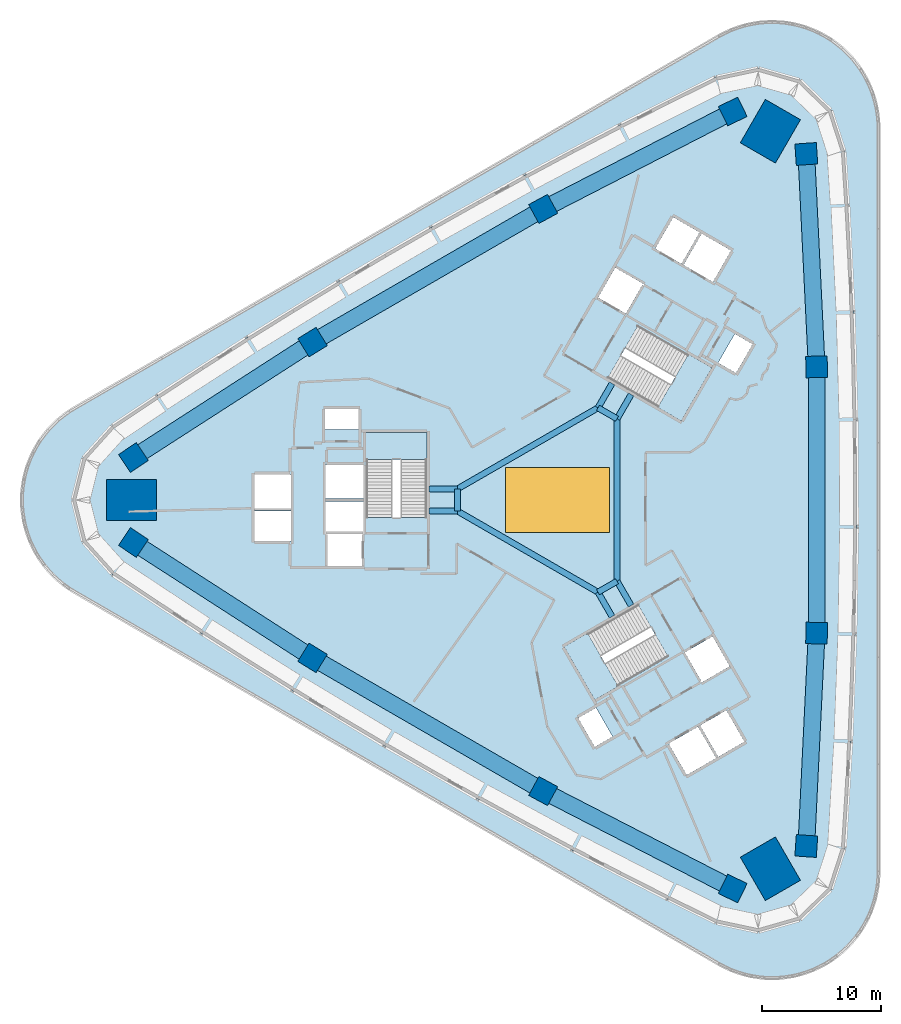
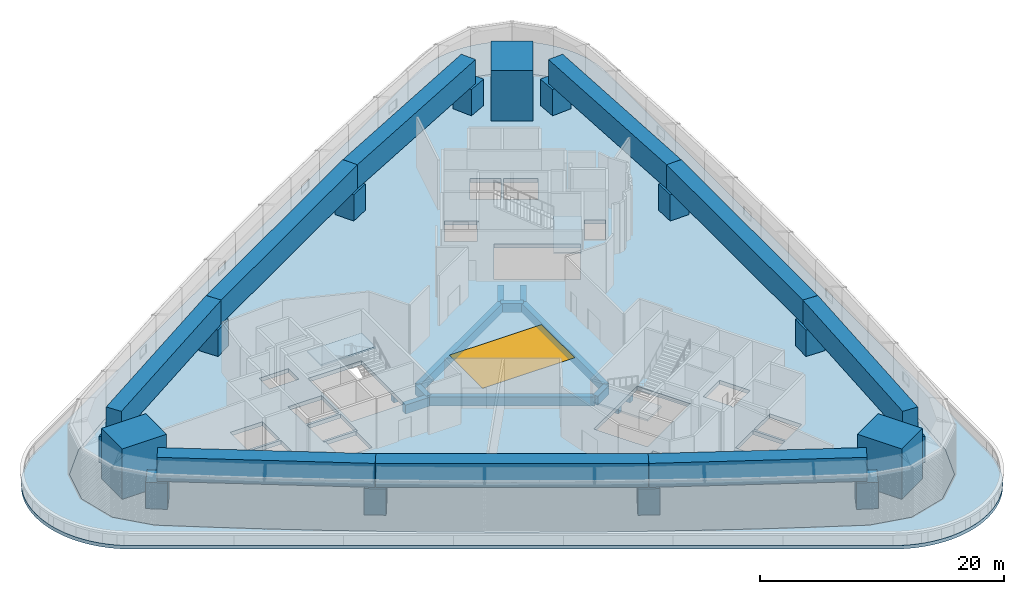
# One storey, part 1 of 11: 21 beams, 15 columns, 5 slabs, 1 window, 1 opening, 3 elements without a shape of their own.
"""IFC4 building model written with IfcOpenShell, lengths in metres."""

from ifc_helpers import new_model, si_unit, direction, frame, origin, origin_2d, place, context, subcontext, project, spatial, polyline, rectangle, outline, extrude, material, layer, layer_set, material_profile, profile_set, type_object, element, fill, aggregate, save


model = new_model("IFC4")

# Units and contexts
model_context = context("Model", 3, precision=1e-05, world=origin(), true_north=direction((0.0, 1.0)))
body_context = subcontext(model_context, "Body", "Model", "MODEL_VIEW")
ifc_project = project(units=[si_unit("LENGTHUNIT", "METRE"), si_unit("AREAUNIT", "SQUARE_METRE"), si_unit("VOLUMEUNIT", "CUBIC_METRE"), si_unit("PLANEANGLEUNIT", "RADIAN"), si_unit("MASSUNIT", "GRAM", prefix="KILO")], contexts=[model_context])

# Site, building, storey
site_placement = place(None, origin())
site = spatial("IfcSite", under=ifc_project, at=site_placement, CompositionType="ELEMENT")
building_placement = place(site_placement, origin())
building = spatial("IfcBuilding", under=site, at=building_placement, Name="Tamra Quay Hotel Tower", CompositionType="ELEMENT")
storey_placement = place(building_placement, frame((0.0, 0.0, 29.5)))
storey = spatial("IfcBuildingStorey", under=building, at=storey_placement, Name="L05", CompositionType="ELEMENT", Elevation=29.5)

# Columns
ifc_material_1 = material(Name="Concrete M70", Category="concrete")
ifc_material_profile_1 = material_profile(ifc_material_1, rectangle(XDim=4.199951171875, YDim=3.39990234375, at=origin_2d()), Name="MEGA COLUMN RC 3400x4200 Z1")
ifc_profile_set_1 = profile_set([ifc_material_profile_1], Name="Concrete M70")
column_type_1 = type_object("IfcColumnType", Name="MEGA COLUMN RC 3400x4200 Z1", PredefinedType="COLUMN", material=ifc_profile_set_1)
for number, where, z_axis, x_axis, name in (
    (1, (17.864501953125, 30.942138671875, -0.39990234375), (0.0, 0.0, 1.0), (0.5, 0.866025403784, 0.0), "COL-M0NE-L05"),
    (2, (-35.72900390625, 0.0, -0.39990234375), (0.0, 0.0, 1.0), (1.0, 0.0, 0.0), "COL-M0W-L05"),
    (3, (17.864501953125, -30.942138671875, -0.39990234375), (0.0, 0.0, 1.0), (-0.5, 0.866025403784, 0.0), "COL-M0SE-L05"),
):
    element("IfcColumn", number, at=place(storey_placement, frame(where, z_axis=z_axis, x_axis=x_axis)), inside=storey, type_object=column_type_1, Name=name, PredefinedType="COLUMN", context=body_context, shape_type="SweptSolid", body=[
        extrude(rectangle(XDim=4.199951171875, YDim=3.39990234375, at=origin_2d()), origin(), (0.0, 0.0, 1.0), 5.4248046875),
    ])
ifc_material_profile_2 = material_profile(ifc_material_1, rectangle(XDim=1.800048828125, YDim=1.800048828125, at=origin_2d()), Name="MIDFACE COLUMN RC 1800x1800")
ifc_profile_set_2 = profile_set([ifc_material_profile_2], Name="Concrete M70")
column_type_2 = type_object("IfcColumnType", Name="MIDFACE COLUMN RC 1800x1800", PredefinedType="COLUMN", material=ifc_profile_set_2)
for number, where, z_axis, x_axis, name in (
    (4, (20.87890625, -29.033935546875, -0.39990234375), (0.0, 0.0, 1.0), (-0.997561736499, 0.069789554182, 0.0), "COL-PRE1-L05"),
    (5, (21.7490234375, -11.17431640625, -0.39990234375), (0.0, 0.0, 1.0), (-0.999628128016, 0.02726913418, 0.0), "COL-PRE2-L05"),
    (6, (21.7490234375, 11.17431640625, -0.39990234375), (0.0, 0.0, 1.0), (0.999628128016, 0.02726913418, 0.0), "COL-PRE3-L05"),
    (7, (20.87890625, 29.033935546875, -0.39990234375), (0.0, 0.0, 1.0), (0.997561736499, 0.069789554182, 0.0), "COL-PRE4-L05"),
    (8, (14.70458984375, 32.5986328125, -0.39990234375), (0.0, 0.0, 1.0), (-0.438341341409, 0.898808582743, 0.0), "COL-PRNW1-L05"),
    (9, (-1.197265625, 24.422607421875, -0.39990234375), (0.0, 0.0, 1.0), (-0.476198301069, 0.879337920289, 0.0), "COL-PRNW2-L05"),
    (10, (-20.552001953125, 13.248046875, -0.39990234375), (0.0, 0.0, 1.0), (-0.523429826947, 0.85206878611, 0.0), "COL-PRNW3-L05"),
    (11, (-35.58349609375, 3.564697265625, -0.39990234375), (0.0, 0.0, 1.0), (-0.55922039509, 0.82901902856, 0.0), "COL-PRNW4-L05"),
    (12, (-35.58349609375, -3.564697265625, -0.39990234375), (0.0, 0.0, 1.0), (0.55922039509, 0.82901902856, 0.0), "COL-PRSW1-L05"),
    (13, (-20.552001953125, -13.248046875, -0.39990234375), (0.0, 0.0, 1.0), (0.523429826947, 0.85206878611, 0.0), "COL-PRSW2-L05"),
    (14, (-1.197265625, -24.422607421875, -0.39990234375), (0.0, 0.0, 1.0), (0.476198301069, 0.879337920289, 0.0), "COL-PRSW3-L05"),
    (15, (14.70458984375, -32.5986328125, -0.39990234375), (0.0, 0.0, 1.0), (0.438341341409, 0.898808582743, 0.0), "COL-PRSW4-L05"),
):
    element("IfcColumn", number, at=place(storey_placement, frame(where, z_axis=z_axis, x_axis=x_axis)), inside=storey, type_object=column_type_2, Name=name, PredefinedType="COLUMN", context=body_context, shape_type="SweptSolid", body=[
        extrude(rectangle(XDim=1.800048828125, YDim=1.800048828125, at=origin_2d()), origin(), (0.0, 0.0, 1.0), 3.02490234375),
    ])

# Beams
ifc_material_2 = material(Name="Concrete M60", Category="concrete")
ifc_material_profile_3 = material_profile(ifc_material_2, rectangle(XDim=0.5, YDim=0.89990234375, at=origin_2d()), Name="ATRIUM EDGE BEAM RC 500x900")
ifc_profile_set_3 = profile_set([ifc_material_profile_3], Name="Concrete M60")
beam_type_1 = type_object("IfcBeamType", Name="ATRIUM EDGE BEAM RC 500x900", PredefinedType="BEAM", material=ifc_profile_set_3)
beam_1_placement = place(storey_placement, frame((5.0, 6.812744140625, -0.85009765625), z_axis=(0.0, -1.0, 0.0), x_axis=(1.0, 0.0, 0.0)))
element("IfcBeam", 16, at=beam_1_placement, inside=storey, type_object=beam_type_1, Name="BM-AB0-L05", PredefinedType="BEAM", context=body_context, shape_type="SweptSolid", body=[
    extrude(rectangle(XDim=0.5, YDim=0.89990234375, at=origin_2d()), origin(), (0.0, 0.0, 1.0), 13.62548828125),
])
beam_2_placement = place(storey_placement, frame((5.0, -6.812744140625, -0.85009765625), z_axis=(-0.86602275259, -0.500004591975, 0.0), x_axis=(0.500004591975, -0.86602275259, 0.0)))
element("IfcBeam", 17, at=beam_2_placement, inside=storey, type_object=beam_type_1, Name="BM-AB1-L05", PredefinedType="BEAM", context=body_context, shape_type="SweptSolid", body=[
    extrude(rectangle(XDim=0.5, YDim=0.89990234375, at=origin_2d()), origin(), (0.0, 0.0, 1.0), 1.84765625),
])
beam_3_placement = place(storey_placement, frame((3.39990234375, -7.736572265625, -0.85009765625), z_axis=(-0.866021471679, 0.500006810544, 0.0), x_axis=(-0.500006810544, -0.866021471679, 0.0)))
element("IfcBeam", 18, at=beam_3_placement, inside=storey, type_object=beam_type_1, Name="BM-AB2-L05", PredefinedType="BEAM", context=body_context, shape_type="SweptSolid", body=[
    extrude(rectangle(XDim=0.5, YDim=0.89990234375, at=origin_2d()), origin(), (0.0, 0.0, 1.0), 13.625244140625),
])
beam_4_placement = place(storey_placement, frame((-8.39990234375, -0.923828125, -0.85009765625), z_axis=(0.0, 1.0, 0.0), x_axis=(-1.0, 0.0, 0.0)))
element("IfcBeam", 19, at=beam_4_placement, inside=storey, type_object=beam_type_1, Name="BM-AB3-L05", PredefinedType="BEAM", context=body_context, shape_type="SweptSolid", body=[
    extrude(rectangle(XDim=0.5, YDim=0.89990234375, at=origin_2d()), origin(), (0.0, 0.0, 1.0), 1.84765625),
])
beam_5_placement = place(storey_placement, frame((-8.39990234375, 0.923828125, -0.85009765625), z_axis=(0.866021471679, 0.500006810544, 0.0), x_axis=(-0.500006810544, 0.866021471679, 0.0)))
element("IfcBeam", 20, at=beam_5_placement, inside=storey, type_object=beam_type_1, Name="BM-AB4-L05", PredefinedType="BEAM", context=body_context, shape_type="SweptSolid", body=[
    extrude(rectangle(XDim=0.5, YDim=0.89990234375, at=origin_2d()), origin(), (0.0, 0.0, 1.0), 13.625244140625),
])
beam_6_placement = place(storey_placement, frame((3.39990234375, 7.736572265625, -0.85009765625), z_axis=(0.86602275259, -0.500004591975, 0.0), x_axis=(0.500004591975, 0.86602275259, 0.0)))
element("IfcBeam", 21, at=beam_6_placement, inside=storey, type_object=beam_type_1, Name="BM-AB5-L05", PredefinedType="BEAM", context=body_context, shape_type="SweptSolid", body=[
    extrude(rectangle(XDim=0.5, YDim=0.89990234375, at=origin_2d()), origin(), (0.0, 0.0, 1.0), 1.84765625),
])
ifc_material_profile_4 = material_profile(ifc_material_2, rectangle(XDim=0.5, YDim=0.89990234375, at=origin_2d()), Name="ATRIUM TIE BEAM RC 500x900")
ifc_profile_set_4 = profile_set([ifc_material_profile_4], Name="Concrete M60")
beam_type_2 = type_object("IfcBeamType", Name="ATRIUM TIE BEAM RC 500x900", PredefinedType="BEAM", material=ifc_profile_set_4)
for number, where, z_axis, x_axis, name in (
    (22, (5.0, 6.812744140625, -0.85009765625), (0.500029618126, 0.866008303076, 0.0), (-0.866008303076, 0.500029618126, 0.0), "BM-TIE-0-L05"),
    (23, (5.0, -6.812744140625, -0.85009765625), (0.500029618126, -0.866008303076, 0.0), (0.866008303076, 0.500029618126, 0.0), "BM-TIE-1-L05"),
    (24, (3.39990234375, -7.736572265625, -0.85009765625), (0.500029618126, -0.866008303076, 0.0), (0.866008303076, 0.500029618126, 0.0), "BM-TIE-2-L05"),
):
    element("IfcBeam", number, at=place(storey_placement, frame(where, z_axis=z_axis, x_axis=x_axis)), inside=storey, type_object=beam_type_2, Name=name, PredefinedType="BEAM", context=body_context, shape_type="SweptSolid", body=[
        extrude(rectangle(XDim=0.5, YDim=0.89990234375, at=origin_2d()), origin(), (0.0, 0.0, 1.0), 2.362060546875),
    ])
for number, where, z_axis, x_axis, name in (
    (25, (-8.39990234375, -0.923828125, -0.85009765625), (-1.0, 0.0, 0.0), (0.0, -1.0, 0.0), "BM-TIE-3-L05"),
    (26, (-8.39990234375, 0.923828125, -0.85009765625), (-1.0, 0.0, 0.0), (0.0, -1.0, 0.0), "BM-TIE-4-L05"),
):
    element("IfcBeam", number, at=place(storey_placement, frame(where, z_axis=z_axis, x_axis=x_axis)), inside=storey, type_object=beam_type_2, Name=name, PredefinedType="BEAM", context=body_context, shape_type="SweptSolid", body=[
        extrude(rectangle(XDim=0.5, YDim=0.89990234375, at=origin_2d()), origin(), (0.0, 0.0, 1.0), 2.3623046875),
    ])
beam_7_placement = place(storey_placement, frame((3.39990234375, 7.736572265625, -0.85009765625), z_axis=(0.500029618126, 0.866008303076, 0.0), x_axis=(-0.866008303076, 0.500029618126, 0.0)))
element("IfcBeam", 27, at=beam_7_placement, inside=storey, type_object=beam_type_2, Name="BM-TIE-5-L05", PredefinedType="BEAM", context=body_context, shape_type="SweptSolid", body=[
    extrude(rectangle(XDim=0.5, YDim=0.89990234375, at=origin_2d()), origin(), (0.0, 0.0, 1.0), 2.362060546875),
])
ifc_material_profile_5 = material_profile(ifc_material_2, rectangle(XDim=1.39990234375, YDim=2.39990234375, at=origin_2d()), Name="TRANSFER GIRDER RC 1400x2400")
ifc_profile_set_5 = profile_set([ifc_material_profile_5], Name="Concrete M60")
beam_type_3 = type_object("IfcBeamType", Name="TRANSFER GIRDER RC 1400x2400", PredefinedType="USERDEFINED", material=ifc_profile_set_5)
beam_8_placement = place(storey_placement, frame((20.87890625, -29.033935546875, 3.824951171875), z_axis=(0.048662088022, 0.998815298836, 0.0), x_axis=(-0.998815298836, 0.048662088022, 0.0)))
element("IfcBeam", 28, at=beam_8_placement, inside=storey, type_object=beam_type_3, Name="BM-TG001-L05", ObjectType="TRANSFER GIRDER", PredefinedType="USERDEFINED", context=body_context, shape_type="SweptSolid", body=[
    extrude(rectangle(XDim=1.39990234375, YDim=2.39990234375, at=origin_2d()), origin(), (0.0, 0.0, 1.0), 17.880859375),
])
beam_9_placement = place(storey_placement, frame((21.7490234375, -11.17431640625, 3.824951171875), z_axis=(0.0, 1.0, 0.0), x_axis=(-1.0, 0.0, 0.0)))
element("IfcBeam", 29, at=beam_9_placement, inside=storey, type_object=beam_type_3, Name="BM-TG002-L05", ObjectType="TRANSFER GIRDER", PredefinedType="USERDEFINED", context=body_context, shape_type="SweptSolid", body=[
    extrude(rectangle(XDim=1.39990234375, YDim=2.39990234375, at=origin_2d()), origin(), (0.0, 0.0, 1.0), 22.3486328125),
])
beam_10_placement = place(storey_placement, frame((21.7490234375, 11.17431640625, 3.824951171875), z_axis=(-0.048662088022, 0.998815298836, 0.0), x_axis=(-0.998815298836, -0.048662088022, 0.0)))
element("IfcBeam", 30, at=beam_10_placement, inside=storey, type_object=beam_type_3, Name="BM-TG003-L05", ObjectType="TRANSFER GIRDER", PredefinedType="USERDEFINED", context=body_context, shape_type="SweptSolid", body=[
    extrude(rectangle(XDim=1.39990234375, YDim=2.39990234375, at=origin_2d()), origin(), (0.0, 0.0, 1.0), 17.880859375),
])
beam_11_placement = place(storey_placement, frame((14.70458984375, 32.5986328125, 3.824951171875), z_axis=(-0.889334920836, -0.457256381673, 0.0), x_axis=(0.457256381673, -0.889334920836, 0.0)))
element("IfcBeam", 31, at=beam_11_placement, inside=storey, type_object=beam_type_3, Name="BM-TG004-L05", ObjectType="TRANSFER GIRDER", PredefinedType="USERDEFINED", context=body_context, shape_type="SweptSolid", body=[
    extrude(rectangle(XDim=1.39990234375, YDim=2.39990234375, at=origin_2d()), origin(), (0.0, 0.0, 1.0), 17.880615234375),
])
beam_12_placement = place(storey_placement, frame((-1.197265625, 24.422607421875, 3.824951171875), z_axis=(-0.866023498866, -0.500003299401, 0.0), x_axis=(0.500003299401, -0.866023498866, 0.0)))
element("IfcBeam", 32, at=beam_12_placement, inside=storey, type_object=beam_type_3, Name="BM-TG005-L05", ObjectType="TRANSFER GIRDER", PredefinedType="USERDEFINED", context=body_context, shape_type="SweptSolid", body=[
    extrude(rectangle(XDim=1.39990234375, YDim=2.39990234375, at=origin_2d()), origin(), (0.0, 0.0, 1.0), 22.348876953125),
])
for number, where, z_axis, x_axis, name in (
    (33, (-20.552001953125, 13.248046875, 3.824951171875), (-0.840663037387, -0.541558544915, 0.0), (0.541558544915, -0.840663037387, 0.0), "BM-TG006-L05"),
    (34, (-35.58349609375, -3.564697265625, 3.824951171875), (0.840663037387, -0.541558544915, 0.0), (0.541558544915, 0.840663037387, 0.0), "BM-TG007-L05"),
):
    element("IfcBeam", number, at=place(storey_placement, frame(where, z_axis=z_axis, x_axis=x_axis)), inside=storey, type_object=beam_type_3, Name=name, ObjectType="TRANSFER GIRDER", PredefinedType="USERDEFINED", context=body_context, shape_type="SweptSolid", body=[
        extrude(rectangle(XDim=1.39990234375, YDim=2.39990234375, at=origin_2d()), origin(), (0.0, 0.0, 1.0), 17.880615234375),
    ])
beam_13_placement = place(storey_placement, frame((-20.552001953125, -13.248046875, 3.824951171875), z_axis=(0.866023498866, -0.500003299401, 0.0), x_axis=(0.500003299401, 0.866023498866, 0.0)))
element("IfcBeam", 35, at=beam_13_placement, inside=storey, type_object=beam_type_3, Name="BM-TG008-L05", ObjectType="TRANSFER GIRDER", PredefinedType="USERDEFINED", context=body_context, shape_type="SweptSolid", body=[
    extrude(rectangle(XDim=1.39990234375, YDim=2.39990234375, at=origin_2d()), origin(), (0.0, 0.0, 1.0), 22.348876953125),
])
beam_14_placement = place(storey_placement, frame((-1.197265625, -24.422607421875, 3.824951171875), z_axis=(0.889334920836, -0.457256381673, 0.0), x_axis=(0.457256381673, 0.889334920836, 0.0)))
element("IfcBeam", 36, at=beam_14_placement, inside=storey, type_object=beam_type_3, Name="BM-TG009-L05", ObjectType="TRANSFER GIRDER", PredefinedType="USERDEFINED", context=body_context, shape_type="SweptSolid", body=[
    extrude(rectangle(XDim=1.39990234375, YDim=2.39990234375, at=origin_2d()), origin(), (0.0, 0.0, 1.0), 17.880615234375),
])

# Stair, slab
ifc_material_3 = material(Name="Exit stair 2200 38 risers 144.7 going 272")
stair_type = type_object("IfcStairType", Name="Exit stair 2200 38 risers 144.7 going 272", PredefinedType="HALF_TURN_STAIR", material=ifc_material_3)
stair_1_placement = place(storey_placement, origin())
stair_1 = element("IfcStair", 37, at=stair_1_placement, inside=storey, type_object=stair_type, Name="L05 Exit stair ST3", PredefinedType="HALF_TURN_STAIR")
ifc_layer_1 = layer(ifc_material_1, 0.175048828125)
ifc_layer_set_1 = layer_set([ifc_layer_1], Name="Concrete M70 stair landing 180")
slab_type_1 = type_object("IfcSlabType", Name="Concrete M70 stair landing 180", PredefinedType="LANDING", material=ifc_layer_set_1)
slab_1_placement = place(storey_placement, frame((0.0, 0.0, 2.574951171875)))
slab_1 = element("IfcSlab", 38, at=slab_1_placement, type_object=slab_type_1, Name="ST3 landing 1", PredefinedType="LANDING", context=body_context, shape_type="SweptSolid", body=[
    extrude(outline(polyline([(-10.932373046875, 3.39599609375), (-10.932373046875, 5.679931640625), (-16.09130859375, 5.679931640625), (-16.09130859375, 3.39599609375), (-10.932373046875, 3.39599609375)])), origin(), (0.0, 0.0, 1.0), 0.175048828125),
])
aggregate(stair_1, [slab_1])

stair_2_placement = place(storey_placement, origin())
stair_2 = element("IfcStair", 39, at=stair_2_placement, inside=storey, type_object=stair_type, Name="L05 Exit stair ST1", PredefinedType="HALF_TURN_STAIR")
slab_2_placement = place(storey_placement, frame((0.0, 0.0, 2.574951171875)))
slab_2 = element("IfcSlab", 40, at=slab_2_placement, type_object=slab_type_1, Name="ST1 landing 1", PredefinedType="LANDING", context=body_context, shape_type="SweptSolid", body=[
    extrude(outline(polyline([(8.406982421875, 7.769775390625), (10.385009765625, 6.627685546875), (12.964599609375, 11.095458984375), (10.986572265625, 12.237548828125), (8.406982421875, 7.769775390625)])), origin(), (0.0, 0.0, 1.0), 0.175048828125),
])
aggregate(stair_2, [slab_2])

stair_3_placement = place(storey_placement, origin())
stair_3 = element("IfcStair", 41, at=stair_3_placement, inside=storey, type_object=stair_type, Name="L05 Exit stair ST2", PredefinedType="HALF_TURN_STAIR")
slab_3_placement = place(storey_placement, frame((0.0, 0.0, 2.574951171875)))
slab_3 = element("IfcSlab", 42, at=slab_3_placement, type_object=slab_type_1, Name="ST2 landing 1", PredefinedType="LANDING", context=body_context, shape_type="SweptSolid", body=[
    extrude(outline(polyline([(2.525146484375, -11.16552734375), (0.547119140625, -12.3076171875), (3.126708984375, -16.775390625), (5.104736328125, -15.63330078125), (2.525146484375, -11.16552734375)])), origin(), (0.0, 0.0, 1.0), 0.175048828125),
])
aggregate(stair_3, [slab_3])

# Slab, opening, window
ifc_layer_2 = layer(ifc_material_2, 0.39990234375)
ifc_layer_set_2 = layer_set([ifc_layer_2], Name="FLOOR SLAB PT 400")
slab_type_2 = type_object("IfcSlabType", Name="FLOOR SLAB PT 400", PredefinedType="FLOOR", material=ifc_layer_set_2)
slab_4_placement = place(storey_placement, frame((0.0, 0.0, -0.39990234375)))
slab_4 = element("IfcSlab", 43, at=slab_4_placement, inside=storey, type_object=slab_type_2, Name="SLAB-L05", PredefinedType="FLOOR", context=body_context, shape_type="SweptSolid", body=[
    extrude(outline(polyline([(24.363037109375, 24.763427734375), (24.606689453125, 20.263671875), (24.801513671875, 15.763671875), (24.947998046875, 11.26171875), (25.04541015625, 6.756103515625), (25.09423828125, 2.252197265625), (25.09423828125, -2.252197265625), (25.04541015625, -6.756103515625), (24.947998046875, -11.26171875), (24.801513671875, -15.763671875), (24.606689453125, -20.263671875), (24.363037109375, -24.763427734375), (24.0712890625, -29.257080078125), (22.94970703125, -32.708251953125), (20.33935546875, -35.22900390625), (16.851318359375, -36.229248046875), (13.302001953125, -35.474853515625), (9.264404296875, -33.480712890625), (5.24560546875, -31.44189453125), (1.2509765625, -29.360595703125), (-2.720947265625, -27.236328125), (-6.671630859375, -25.068115234375), (-10.5966796875, -22.8583984375), (-14.49755859375, -20.606201171875), (-18.373779296875, -18.31201171875), (-22.226806640625, -15.974609375), (-26.052490234375, -13.596923828125), (-29.852294921875, -11.177978515625), (-33.627197265625, -8.71728515625), (-37.373046875, -6.217529296875), (-39.801025390625, -3.52099609375), (-40.678955078125, 0.0), (-39.801025390625, 3.52099609375), (-37.373046875, 6.217529296875), (-33.627197265625, 8.71728515625), (-29.852294921875, 11.177978515625), (-26.052490234375, 13.596923828125), (-22.226806640625, 15.974609375), (-18.373779296875, 18.31201171875), (-14.49755859375, 20.606201171875), (-10.5966796875, 22.8583984375), (-6.671630859375, 25.068115234375), (-2.720947265625, 27.236328125), (1.2509765625, 29.360595703125), (5.24560546875, 31.44189453125), (9.264404296875, 33.480712890625), (13.302001953125, 35.474853515625), (16.851318359375, 36.229248046875), (20.33935546875, 35.22900390625), (22.94970703125, 32.708251953125), (24.0712890625, 29.257080078125), (24.363037109375, 24.763427734375)]), holes=[polyline([(-2.417236328125, -24.785400390625), (-0.83447265625, -25.642578125), (0.022705078125, -24.059814453125), (-1.56005859375, -23.202392578125), (-2.417236328125, -24.785400390625)]), polyline([(3.1328125, -20.71630859375), (4.631103515625, -19.851318359375), (3.236083984375, -17.43505859375), (1.73779296875, -18.300048828125), (3.1328125, -20.71630859375)]), polyline([(-21.789794921875, -13.543701171875), (-20.256103515625, -14.48583984375), (-19.31396484375, -12.9521484375), (-20.84765625, -12.010009765625), (-21.789794921875, -13.543701171875)]), polyline([(6.75390625, -8.78759765625), (0.622314453125, -12.32763671875), (3.146728515625, -16.7001953125), (9.2783203125, -13.160400390625), (6.75390625, -8.78759765625)]), polyline([(-19.4072265625, -2.85498046875), (-19.4072265625, -2.89306640625), (-19.307373046875, -2.89306640625), (-19.307373046875, -5.544921875), (-16.417236328125, -5.544921875), (-16.417236328125, -2.89306640625), (-16.3173828125, -2.89306640625), (-16.3173828125, -2.85498046875), (-19.4072265625, -2.85498046875)]), polyline([(-36.8330078125, -3.8076171875), (-35.3408203125, -4.814208984375), (-34.333984375, -3.322021484375), (-35.826416015625, -2.3154296875), (-36.8330078125, -3.8076171875)]), polyline([(-22.3671875, -0.905029296875), (-25.4072265625, -0.905029296875), (-25.4072265625, -3.445068359375), (-22.3671875, -3.445068359375), (-22.3671875, -0.905029296875)]), polyline([(-19.417236328125, -2.64501953125), (-16.307373046875, -2.64501953125), (-16.307373046875, -2.89306640625), (-16.26708984375, -2.89306640625), (-16.26708984375, -0.10498046875), (-19.45751953125, -0.10498046875), (-19.45751953125, -2.89306640625), (-19.417236328125, -2.89306640625), (-19.417236328125, -2.64501953125)]), polyline([(-37.828857421875, 1.699951171875), (-37.828857421875, -1.699951171875), (-33.62890625, -1.699951171875), (-33.62890625, 1.699951171875), (-37.828857421875, 1.699951171875)]), polyline([(-22.3671875, -0.695068359375), (-22.3671875, 2.14501953125), (-25.4072265625, 2.14501953125), (-25.4072265625, -0.695068359375), (-22.3671875, -0.695068359375)]), polyline([(-16.26708984375, 0.10498046875), (-16.26708984375, 2.945068359375), (-19.45751953125, 2.945068359375), (-19.45751953125, 0.10498046875), (-16.26708984375, 0.10498046875)]), polyline([(-10.9873046875, -1.455078125), (-10.9873046875, 5.625), (-16.036376953125, 5.625), (-16.036376953125, -1.455078125), (-10.9873046875, -1.455078125)]), polyline([(-35.3408203125, 4.814208984375), (-36.8330078125, 3.8076171875), (-35.826416015625, 2.3154296875), (-34.333984375, 3.322021484375), (-35.3408203125, 4.814208984375)]), polyline([(-19.50732421875, 7.64501953125), (-19.50732421875, 5.9150390625), (-16.71728515625, 5.9150390625), (-16.71728515625, 7.64501953125), (-19.50732421875, 7.64501953125)]), polyline([(-20.256103515625, 14.48583984375), (-21.789794921875, 13.543701171875), (-20.84765625, 12.010009765625), (-19.31396484375, 12.9521484375), (-20.256103515625, 14.48583984375)]), polyline([(-0.83447265625, 25.642578125), (-2.417236328125, 24.785400390625), (-1.56005859375, 23.202392578125), (0.022705078125, 24.059814453125), (-0.83447265625, 25.642578125)]), polyline([(13.501220703125, -33.012939453125), (15.118896484375, -33.802001953125), (15.907958984375, -32.18408203125), (14.290283203125, -31.395263671875), (13.501220703125, -33.012939453125)]), polyline([(17.442138671875, -33.61083984375), (20.38671875, -31.910888671875), (18.28662109375, -28.2734375), (15.34228515625, -29.973388671875), (17.442138671875, -33.61083984375)]), polyline([(21.714111328125, -29.994384765625), (21.839599609375, -28.198974609375), (20.0439453125, -28.0732421875), (19.91845703125, -29.868896484375), (21.714111328125, -29.994384765625)]), polyline([(11.78564453125, -19.02294921875), (9.325927734375, -20.443115234375), (10.845947265625, -23.075927734375), (13.3056640625, -21.65576171875), (11.78564453125, -19.02294921875)]), polyline([(11.96728515625, -18.91796875), (13.487548828125, -21.55078125), (15.68701171875, -20.281005859375), (14.1669921875, -17.648193359375), (11.96728515625, -18.91796875)]), polyline([(12.05615234375, -15.171875), (11.969482421875, -15.2216796875), (12.03955078125, -15.343017578125), (14.455810546875, -13.947998046875), (13.0107421875, -11.4453125), (10.68115234375, -12.790283203125), (12.05615234375, -15.171875)]), polyline([(22.624267578125, -12.0986328125), (22.67333984375, -10.29931640625), (20.8740234375, -10.250244140625), (20.824951171875, -12.049560546875), (22.624267578125, -12.0986328125)]), polyline([(4.2333984375, 10.242919921875), (10.364990234375, 6.702880859375), (12.889404296875, 11.075439453125), (6.758056640625, 14.615478515625), (4.2333984375, 10.242919921875)]), polyline([(22.67333984375, 10.29931640625), (22.624267578125, 12.0986328125), (20.824951171875, 12.049560546875), (20.8740234375, 10.250244140625), (22.67333984375, 10.29931640625)]), polyline([(16.37451171875, 13.0712890625), (14.876220703125, 13.936279296875), (13.481201171875, 11.52001953125), (14.9794921875, 10.655029296875), (16.37451171875, 13.0712890625)]), polyline([(7.111083984375, 18.02685546875), (7.19775390625, 17.976806640625), (7.267578125, 18.09814453125), (4.8515625, 19.4931640625), (3.406494140625, 16.990234375), (5.736083984375, 15.645263671875), (7.111083984375, 18.02685546875)]), polyline([(10.58154296875, 19.718017578125), (13.041259765625, 18.298095703125), (14.561279296875, 20.930908203125), (12.101806640625, 22.350830078125), (10.58154296875, 19.718017578125)]), polyline([(10.39990234375, 19.822998046875), (11.919921875, 22.455810546875), (9.72021484375, 23.725830078125), (8.2001953125, 21.093017578125), (10.39990234375, 19.822998046875)]), polyline([(21.839599609375, 28.198974609375), (21.714111328125, 29.994384765625), (19.91845703125, 29.868896484375), (20.0439453125, 28.0732421875), (21.839599609375, 28.198974609375)]), polyline([(20.38671875, 31.910888671875), (17.442138671875, 33.61083984375), (15.34228515625, 29.973388671875), (18.28662109375, 28.2734375), (20.38671875, 31.910888671875)]), polyline([(15.118896484375, 33.802001953125), (13.501220703125, 33.012939453125), (14.290283203125, 31.395263671875), (15.907958984375, 32.18408203125), (15.118896484375, 33.802001953125)])]), origin(), (0.0, 0.0, 1.0), 0.39990234375),
])
opening_placement = place(slab_4_placement, origin())
opening = element("IfcOpeningElement", 44, at=opening_placement, cuts=slab_4, Name="Opening SK1-8720", PredefinedType="OPENING", context=body_context, shape_type="SweptSolid", body=[
    extrude(rectangle(XDim=8.719970703125, YDim=5.43994140625, at=origin_2d()), origin(), (0.0, 0.0, 1.0), 0.39990234375),
])
ifc_material_4 = material(Name="Fire-rated laminated glass in steel frame", Category="steel")
window_type = type_object("IfcWindowType", Name="ATRIUM SKYLIGHT 8720X5440", PartitioningType="SINGLE_PANEL", PredefinedType="SKYLIGHT", material=ifc_material_4)
window_placement = place(opening_placement, frame((0.0, 0.0, 0.349853515625)))
window = element("IfcWindow", 45, at=window_placement, inside=storey, type_object=window_type, Name="SK1-8720", OverallHeight=5.43994140625, OverallWidth=8.719970703125, PartitioningType="SINGLE_PANEL", PredefinedType="SKYLIGHT", context=body_context, shape_type="SweptSolid", body=[
    extrude(rectangle(XDim=8.719970703125, YDim=5.43994140625, at=origin_2d()), origin(), (0.0, 0.0, 1.0), 0.050048828125),
])
fill(opening, window)

# Slab
ifc_material_5 = material(Name="Reinforced concrete M60 with waterproofing membrane", Category="concrete")
ifc_layer_3 = layer(ifc_material_5, 0.35009765625)
ifc_layer_set_3 = layer_set([ifc_layer_3], Name="PODIUM ROOF SLAB 350")
slab_type_3 = type_object("IfcSlabType", Name="PODIUM ROOF SLAB 350", PredefinedType="ROOF", material=ifc_layer_set_3)
slab_5_placement = place(storey_placement, frame((0.0, 0.0, -0.35009765625)))
element("IfcSlab", 46, at=slab_5_placement, inside=storey, type_object=slab_type_3, Name="Podium roof slab", PredefinedType="ROOF", context=body_context, shape_type="SweptSolid", body=[
    extrude(outline(polyline([(14.019287109375, 39.248779296875), (13.5, 38.97119140625), (-40.5, 7.794189453125), (-41.000244140625, 7.483154296875), (-41.478759765625, 7.14013671875), (-41.93408203125, 6.7666015625), (-42.364013671875, 6.364013671875), (-42.7666015625, 5.93408203125), (-43.14013671875, 5.478759765625), (-43.483154296875, 5.000244140625), (-43.794189453125, 4.5), (-44.07177734375, 3.980712890625), (-44.31494140625, 3.444091796875), (-44.5224609375, 2.89306640625), (-44.693359375, 2.329345703125), (-44.8271484375, 1.755859375), (-44.923095703125, 1.1748046875), (-44.980712890625, 0.588623046875), (-45.0, 0.0), (-44.980712890625, -0.588623046875), (-44.923095703125, -1.1748046875), (-44.8271484375, -1.755859375), (-44.693359375, -2.329345703125), (-44.5224609375, -2.89306640625), (-44.31494140625, -3.444091796875), (-44.07177734375, -3.980712890625), (-43.794189453125, -4.5), (-43.483154296875, -5.000244140625), (-43.14013671875, -5.478759765625), (-42.7666015625, -5.93408203125), (-42.364013671875, -6.364013671875), (-41.93408203125, -6.7666015625), (-41.478759765625, -7.14013671875), (-41.000244140625, -7.483154296875), (-40.5, -7.794189453125), (13.5, -38.97119140625), (14.019287109375, -39.248779296875), (14.555908203125, -39.491943359375), (15.10693359375, -39.69921875), (15.670654296875, -39.870361328125), (16.244140625, -40.00390625), (16.8251953125, -40.099853515625), (17.411376953125, -40.15771484375), (18.0, -40.177001953125), (18.588623046875, -40.15771484375), (19.1748046875, -40.099853515625), (19.755859375, -40.00390625), (20.329345703125, -39.870361328125), (20.89306640625, -39.69921875), (21.444091796875, -39.491943359375), (21.980712890625, -39.248779296875), (22.5, -38.97119140625), (23.000244140625, -38.66015625), (23.478759765625, -38.317138671875), (23.93408203125, -37.943359375), (24.364013671875, -37.540771484375), (24.7666015625, -37.111083984375), (25.14013671875, -36.65576171875), (25.483154296875, -36.177001953125), (25.794189453125, -35.677001953125), (26.07177734375, -35.157470703125), (26.31494140625, -34.62109375), (26.5224609375, -34.06982421875), (26.693359375, -33.50634765625), (26.8271484375, -32.9326171875), (26.923095703125, -32.3515625), (26.980712890625, -31.765625), (27.0, -31.177001953125), (27.0, 31.177001953125), (26.980712890625, 31.765625), (26.923095703125, 32.3515625), (26.8271484375, 32.9326171875), (26.693359375, 33.50634765625), (26.5224609375, 34.06982421875), (26.31494140625, 34.62109375), (26.07177734375, 35.157470703125), (25.794189453125, 35.677001953125), (25.483154296875, 36.177001953125), (25.14013671875, 36.65576171875), (24.7666015625, 37.111083984375), (24.364013671875, 37.540771484375), (23.93408203125, 37.943359375), (23.478759765625, 38.317138671875), (23.000244140625, 38.66015625), (22.5, 38.97119140625), (21.980712890625, 39.248779296875), (21.444091796875, 39.491943359375), (20.89306640625, 39.69921875), (20.329345703125, 39.870361328125), (19.755859375, 40.00390625), (19.1748046875, 40.099853515625), (18.588623046875, 40.15771484375), (18.0, 40.177001953125), (17.411376953125, 40.15771484375), (16.8251953125, 40.099853515625), (16.244140625, 40.00390625), (15.670654296875, 39.870361328125), (15.10693359375, 39.69921875), (14.555908203125, 39.491943359375), (14.019287109375, 39.248779296875)]), holes=[polyline([(24.0712890625, 29.257080078125), (24.363037109375, 24.763427734375), (24.606689453125, 20.263671875), (24.801513671875, 15.763671875), (24.947998046875, 11.26171875), (25.04541015625, 6.756103515625), (25.09423828125, 2.252197265625), (25.09423828125, -2.252197265625), (25.04541015625, -6.756103515625), (24.947998046875, -11.26171875), (24.801513671875, -15.763671875), (24.606689453125, -20.263671875), (24.363037109375, -24.763427734375), (24.0712890625, -29.257080078125), (22.94970703125, -32.708251953125), (20.33935546875, -35.22900390625), (16.851318359375, -36.229248046875), (13.302001953125, -35.474853515625), (9.264404296875, -33.480712890625), (5.24560546875, -31.44189453125), (1.2509765625, -29.360595703125), (-2.720947265625, -27.236328125), (-6.671630859375, -25.068115234375), (-10.5966796875, -22.8583984375), (-14.49755859375, -20.606201171875), (-18.373779296875, -18.31201171875), (-22.226806640625, -15.974609375), (-26.052490234375, -13.596923828125), (-29.852294921875, -11.177978515625), (-33.627197265625, -8.71728515625), (-37.373046875, -6.217529296875), (-39.801025390625, -3.52099609375), (-40.678955078125, 0.0), (-39.801025390625, 3.52099609375), (-37.373046875, 6.217529296875), (-33.627197265625, 8.71728515625), (-29.852294921875, 11.177978515625), (-26.052490234375, 13.596923828125), (-22.226806640625, 15.974609375), (-18.373779296875, 18.31201171875), (-14.49755859375, 20.606201171875), (-10.5966796875, 22.8583984375), (-6.671630859375, 25.068115234375), (-2.720947265625, 27.236328125), (1.2509765625, 29.360595703125), (5.24560546875, 31.44189453125), (9.264404296875, 33.480712890625), (13.302001953125, 35.474853515625), (16.851318359375, 36.229248046875), (20.33935546875, 35.22900390625), (22.94970703125, 32.708251953125), (24.0712890625, 29.257080078125)])]), origin(), (0.0, 0.0, 1.0), 0.35009765625),
])

save(model, "model.ifc")
